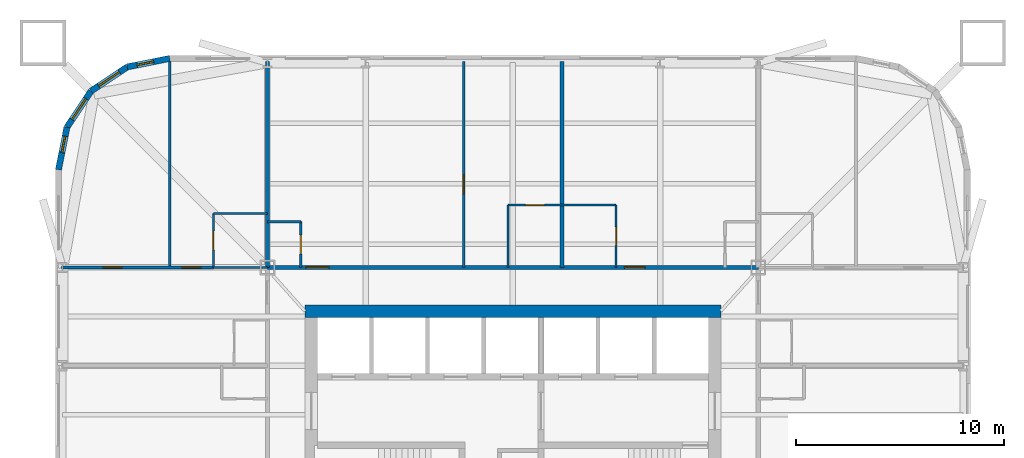
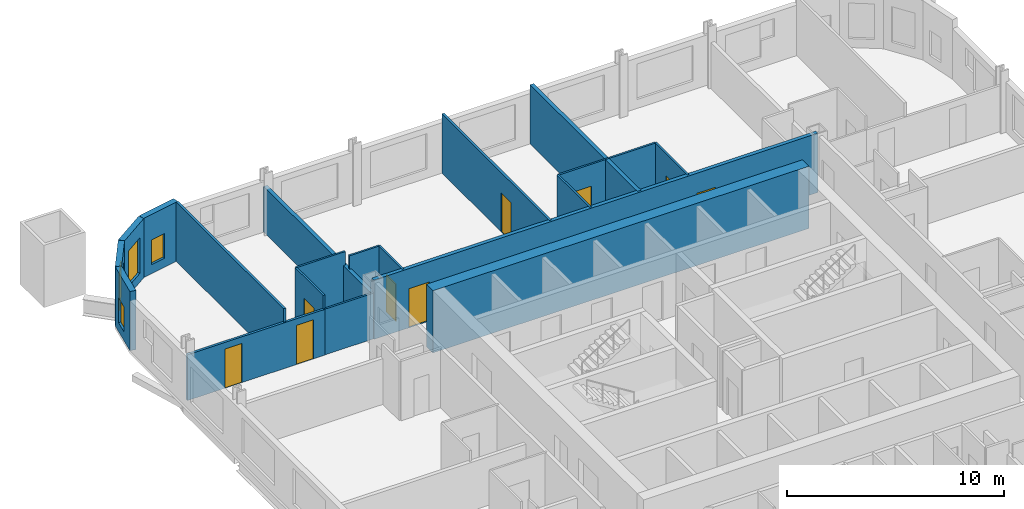
# One storey, part 7 of 10: 19 walls, 9 doors, 4 windows, 13 openings.
"""IFC4 building model written with IfcOpenShell, lengths in metres."""

from ifc_helpers import new_model, si_unit, direction, frame, frame_2d, origin, place, context, subcontext, project, spatial, rectangle, extrude, material, layer, layer_set, type_object, element, fill, save


model = new_model("IFC4")

# Units and contexts
model_context = context("Model", 3, precision=1e-05, world=origin(), true_north=direction((0.0, 1.0)))
body_context = subcontext(model_context, "Body", "Model", "MODEL_VIEW")
ifc_project = project(units=[si_unit("LENGTHUNIT", "METRE"), si_unit("AREAUNIT", "SQUARE_METRE"), si_unit("VOLUMEUNIT", "CUBIC_METRE"), si_unit("PLANEANGLEUNIT", "RADIAN"), si_unit("MASSUNIT", "GRAM", prefix="KILO")], contexts=[model_context])

# Site, building, storey
site_placement = place(None, origin())
site = spatial("IfcSite", under=ifc_project, at=site_placement, CompositionType="ELEMENT")
building_placement = place(site_placement, origin())
building = spatial("IfcBuilding", under=site, at=building_placement, Name="Turquesa Mirador Hotel Tower", CompositionType="ELEMENT")
storey_placement = place(building_placement, frame((0.0, 0.0, 77.5)))
storey = spatial("IfcBuildingStorey", under=building, at=storey_placement, Name="L20", CompositionType="ELEMENT", Elevation=77.5)

# Walls
ifc_material_1 = material(Name="Gypsum board on steel studs", Category="steel")
ifc_layer_1 = layer(ifc_material_1, 0.10009765625)
ifc_layer_set_1 = layer_set([ifc_layer_1], Name="BATHROOM WALL 100")
wall_type_1 = type_object("IfcWallType", Name="BATHROOM WALL 100", PredefinedType="PARTITIONING", material=ifc_layer_set_1)
wall_1_placement = place(storey_placement, frame((40.60009765625, 56.800048828125, 0.0), z_axis=(0.0, 0.0, 1.0), x_axis=(1.0, 0.0, 0.0)))
element("IfcWall", 1, at=wall_1_placement, inside=storey, type_object=wall_type_1, Name="Partition L20 024", PredefinedType="PARTITIONING", context=body_context, shape_type="SweptSolid", body=[
    extrude(rectangle(XDim=2.599853515625, YDim=0.10009765625, at=frame_2d((1.2998046875, 0.0))), origin(), (0.0, 0.0, 1.0), 2.572998046875),
])
wall_2_placement = place(storey_placement, frame((43.199951171875, 59.0, 0.0), z_axis=(0.0, 0.0, 1.0), x_axis=(1.0, 0.0, 0.0)))
element("IfcWall", 2, at=wall_2_placement, inside=storey, type_object=wall_type_1, Name="Partition L20 029", PredefinedType="PARTITIONING", context=body_context, shape_type="SweptSolid", body=[
    extrude(rectangle(XDim=1.60009765625, YDim=0.10009765625, at=frame_2d((0.800048828125, 0.0))), origin(), (0.0, 0.0, 1.0), 3.330078125),
])
wall_3_placement = place(storey_placement, frame((40.60009765625, 59.39990234375, 0.0), z_axis=(0.0, 0.0, 1.0), x_axis=(1.0, 0.0, 0.0)))
element("IfcWall", 3, at=wall_3_placement, inside=storey, type_object=wall_type_1, Name="Partition L20 031", PredefinedType="PARTITIONING", context=body_context, shape_type="SweptSolid", body=[
    extrude(rectangle(XDim=2.599853515625, YDim=0.10009765625, at=frame_2d((1.2998046875, 0.0))), origin(), (0.0, 0.0, 1.0), 3.330078125),
])

# Wall, opening, door
wall_4_placement = place(storey_placement, frame((54.760009765625, 59.800048828125, 0.0), z_axis=(0.0, 0.0, 1.0), x_axis=(1.0, 0.0, 0.0)))
wall_4 = element("IfcWall", 4, at=wall_4_placement, inside=storey, type_object=wall_type_1, Name="Partition L20 033", PredefinedType="PARTITIONING", context=body_context, shape_type="SweptSolid", body=[
    extrude(rectangle(XDim=5.199951171875, YDim=0.10009765625, at=frame_2d((2.60009765625, 0.0))), origin(), (0.0, 0.0, 1.0), 3.330078125),
])
opening_1_placement = place(wall_4_placement, frame((0.85009765625, 0.0, 0.0)))
opening_1 = element("IfcOpeningElement", 5, at=opening_1_placement, cuts=wall_4, Name="Opening D02", PredefinedType="OPENING", context=body_context, shape_type="SweptSolid", body=[
    extrude(rectangle(XDim=0.89990234375, YDim=2.10009765625, at=frame_2d((0.449951171875, 1.050048828125))), frame((0.0, 0.06005859375, 0.0), z_axis=(0.0, -1.0, 0.0), x_axis=(1.0, 0.0, 0.0)), (0.0, 0.0, 1.0), 0.1201171875),
])
ifc_material_2 = material(Name="Timber veneered door", Category="wood")
door_type_1 = type_object("IfcDoorType", Name="DOOR 900X2100 EN-SUITE", OperationType="SINGLE_SWING_RIGHT", PredefinedType="DOOR", material=ifc_material_2)
door_1_placement = place(opening_1_placement, origin())
door_1 = element("IfcDoor", 6, at=door_1_placement, inside=storey, type_object=door_type_1, Name="Door 2001B", OperationType="SINGLE_SWING_RIGHT", OverallHeight=2.10009765625, OverallWidth=0.89990234375, PredefinedType="DOOR", context=body_context, shape_type="SweptSolid", body=[
    extrude(rectangle(XDim=0.89990234375, YDim=2.10009765625, at=frame_2d((0.449951171875, 1.050048828125))), frame((0.0, 0.02490234375, 0.0), z_axis=(0.0, -1.0, 0.0), x_axis=(1.0, 0.0, 0.0)), (0.0, 0.0, 1.0), 0.050048828125),
])
fill(opening_1, door_1)

# Wall
wall_5_placement = place(storey_placement, frame((54.760009765625, 56.800048828125, 0.0), z_axis=(0.0, 0.0, 1.0), x_axis=(0.0, 1.0, 0.0)))
element("IfcWall", 7, at=wall_5_placement, inside=storey, type_object=wall_type_1, Name="Partition L20 040", PredefinedType="PARTITIONING", context=body_context, shape_type="SweptSolid", body=[
    extrude(rectangle(XDim=3.0, YDim=0.10009765625, at=frame_2d((1.5, 0.0))), origin(), (0.0, 0.0, 1.0), 3.330078125),
])

# Wall, opening, door
wall_6_placement = place(storey_placement, frame((44.800048828125, 56.800048828125, 0.0), z_axis=(0.0, 0.0, 1.0), x_axis=(0.0, 1.0, 0.0)))
wall_6 = element("IfcWall", 8, at=wall_6_placement, inside=storey, type_object=wall_type_1, Name="Partition L20 042", PredefinedType="PARTITIONING", context=body_context, shape_type="SweptSolid", body=[
    extrude(rectangle(XDim=2.199951171875, YDim=0.10009765625, at=frame_2d((1.10009765625, 0.0))), origin(), (0.0, 0.0, 1.0), 3.330078125),
])
opening_2_placement = place(wall_6_placement, frame((0.64990234375, 0.0, 0.0)))
opening_2 = element("IfcOpeningElement", 9, at=opening_2_placement, cuts=wall_6, Name="Opening D06", PredefinedType="OPENING", context=body_context, shape_type="SweptSolid", body=[
    extrude(rectangle(XDim=0.89990234375, YDim=2.10009765625, at=frame_2d((0.449951171875, 1.050048828125))), frame((0.0, 0.06005859375, 0.0), z_axis=(0.0, -1.0, 0.0), x_axis=(1.0, 0.0, 0.0)), (0.0, 0.0, 1.0), 0.1201171875),
])
ifc_material_3 = material(Name="Laminate door", Category="wood")
door_type_2 = type_object("IfcDoorType", Name="DOOR 900X2100 WC", OperationType="SINGLE_SWING_LEFT", PredefinedType="DOOR", material=ifc_material_3)
door_2_placement = place(opening_2_placement, origin())
door_2 = element("IfcDoor", 10, at=door_2_placement, inside=storey, type_object=door_type_2, Name="Door 2001W", OperationType="SINGLE_SWING_LEFT", OverallHeight=2.10009765625, OverallWidth=0.89990234375, PredefinedType="DOOR", context=body_context, shape_type="SweptSolid", body=[
    extrude(rectangle(XDim=0.89990234375, YDim=2.10009765625, at=frame_2d((0.449951171875, 1.050048828125))), frame((0.0, 0.02490234375, 0.0), z_axis=(0.0, -1.0, 0.0), x_axis=(1.0, 0.0, 0.0)), (0.0, 0.0, 1.0), 0.050048828125),
])
fill(opening_2, door_2)

wall_7_placement = place(storey_placement, frame((40.60009765625, 56.800048828125, 0.0), z_axis=(0.0, 0.0, 1.0), x_axis=(0.0, 1.0, 0.0)))
wall_7 = element("IfcWall", 11, at=wall_7_placement, inside=storey, type_object=wall_type_1, Name="Partition L20 049", PredefinedType="PARTITIONING", context=body_context, shape_type="SweptSolid", body=[
    extrude(rectangle(XDim=2.599853515625, YDim=0.10009765625, at=frame_2d((1.2998046875, 0.0))), origin(), (0.0, 0.0, 1.0), 3.330078125),
])
opening_3_placement = place(wall_7_placement, frame((0.85009765625, 0.0, 0.0)))
opening_3 = element("IfcOpeningElement", 12, at=opening_3_placement, cuts=wall_7, Name="Opening D02", PredefinedType="OPENING", context=body_context, shape_type="SweptSolid", body=[
    extrude(rectangle(XDim=0.89990234375, YDim=2.10009765625, at=frame_2d((0.449951171875, 1.050048828125))), frame((0.0, 0.06005859375, 0.0), z_axis=(0.0, -1.0, 0.0), x_axis=(1.0, 0.0, 0.0)), (0.0, 0.0, 1.0), 0.1201171875),
])
door_3_placement = place(opening_3_placement, origin())
door_3 = element("IfcDoor", 13, at=door_3_placement, inside=storey, type_object=door_type_1, Name="Door 2013B", OperationType="SINGLE_SWING_RIGHT", OverallHeight=2.10009765625, OverallWidth=0.89990234375, PredefinedType="DOOR", context=body_context, shape_type="SweptSolid", body=[
    extrude(rectangle(XDim=0.89990234375, YDim=2.10009765625, at=frame_2d((0.449951171875, 1.050048828125))), frame((0.0, 0.02490234375, 0.0), z_axis=(0.0, -1.0, 0.0), x_axis=(1.0, 0.0, 0.0)), (0.0, 0.0, 1.0), 0.050048828125),
])
fill(opening_3, door_3)

wall_8_placement = place(storey_placement, frame((59.9599609375, 56.800048828125, 0.0), z_axis=(0.0, 0.0, 1.0), x_axis=(0.0, 1.0, 0.0)))
wall_8 = element("IfcWall", 14, at=wall_8_placement, inside=storey, type_object=wall_type_1, Name="Partition L20 076", PredefinedType="PARTITIONING", context=body_context, shape_type="SweptSolid", body=[
    extrude(rectangle(XDim=3.0, YDim=0.10009765625, at=frame_2d((1.5, 0.0))), origin(), (0.0, 0.0, 1.0), 3.330078125),
])
opening_4_placement = place(wall_8_placement, frame((1.050048828125, 0.0, 0.0)))
opening_4 = element("IfcOpeningElement", 15, at=opening_4_placement, cuts=wall_8, Name="Opening D02", PredefinedType="OPENING", context=body_context, shape_type="SweptSolid", body=[
    extrude(rectangle(XDim=0.89990234375, YDim=2.10009765625, at=frame_2d((0.449951171875, 1.050048828125))), frame((0.0, 0.06005859375, 0.0), z_axis=(0.0, -1.0, 0.0), x_axis=(1.0, 0.0, 0.0)), (0.0, 0.0, 1.0), 0.1201171875),
])
door_4_placement = place(opening_4_placement, origin())
door_4 = element("IfcDoor", 16, at=door_4_placement, inside=storey, type_object=door_type_1, Name="Door 2002B", OperationType="SINGLE_SWING_RIGHT", OverallHeight=2.10009765625, OverallWidth=0.89990234375, PredefinedType="DOOR", context=body_context, shape_type="SweptSolid", body=[
    extrude(rectangle(XDim=0.89990234375, YDim=2.10009765625, at=frame_2d((0.449951171875, 1.050048828125))), frame((0.0, 0.02490234375, 0.0), z_axis=(0.0, -1.0, 0.0), x_axis=(1.0, 0.0, 0.0)), (0.0, 0.0, 1.0), 0.050048828125),
])
fill(opening_4, door_4)

# Wall
ifc_material_4 = material(Name="Concrete C50/60", Category="concrete")
ifc_layer_2 = layer(ifc_material_4, 0.60009765625)
ifc_layer_set_2 = layer_set([ifc_layer_2], Name="CORE WALL 600")
wall_type_2 = type_object("IfcWallType", Name="CORE WALL 600", PredefinedType="SHEAR", material=ifc_layer_set_2)
wall_9_placement = place(storey_placement, frame((45.0, 54.699951171875, 0.0), z_axis=(0.0, 0.0, 1.0), x_axis=(1.0, 0.0, 0.0)))
element("IfcWall", 17, at=wall_9_placement, inside=storey, type_object=wall_type_2, Name="Core wall N", PredefinedType="SHEAR", context=body_context, shape_type="SweptSolid", body=[
    extrude(rectangle(XDim=20.0, YDim=0.60009765625, at=frame_2d((10.0, 0.0))), origin(), (0.0, 0.0, 1.0), 3.5),
])

# Wall, openings, doors
ifc_material_5 = material(Name="Fire-rated gypsum board on steel studs", Category="steel")
ifc_layer_3 = layer(ifc_material_5, 0.199951171875)
ifc_layer_set_3 = layer_set([ifc_layer_3], Name="CORRIDOR WALL 200")
wall_type_3 = type_object("IfcWallType", Name="CORRIDOR WALL 200", PredefinedType="PARTITIONING", material=ifc_layer_set_3)
wall_10_placement = place(storey_placement, frame((43.199951171875, 56.800048828125, 0.0), z_axis=(0.0, 0.0, 1.0), x_axis=(1.0, 0.0, 0.0)))
wall_10 = element("IfcWall", 18, at=wall_10_placement, inside=storey, type_object=wall_type_3, Name="Partition L20 026", PredefinedType="PARTITIONING", context=body_context, shape_type="SweptSolid", body=[
    extrude(rectangle(XDim=23.60009765625, YDim=0.199951171875, at=frame_2d((11.800048828125, 0.0))), origin(), (0.0, 0.0, 1.0), 3.330078125),
])
opening_5_placement = place(wall_10_placement, frame((1.85009765625, 0.0, 0.0)))
opening_5 = element("IfcOpeningElement", 19, at=opening_5_placement, cuts=wall_10, Name="Opening D15", PredefinedType="OPENING", context=body_context, shape_type="SweptSolid", body=[
    extrude(rectangle(XDim=1.10009765625, YDim=2.199951171875, at=frame_2d((0.550048828125, 1.10009765625))), frame((0.0, 0.10986328125, 0.0), z_axis=(0.0, -1.0, 0.0), x_axis=(1.0, 0.0, 0.0)), (0.0, 0.0, 1.0), 0.219970703125),
])
opening_6_placement = place(wall_10_placement, frame((17.159912109375, 0.0, 0.0)))
opening_6 = element("IfcOpeningElement", 20, at=opening_6_placement, cuts=wall_10, Name="Opening D01", PredefinedType="OPENING", context=body_context, shape_type="SweptSolid", body=[
    extrude(rectangle(XDim=1.0, YDim=2.199951171875, at=frame_2d((0.5, 1.10009765625))), frame((0.0, 0.10986328125, 0.0), z_axis=(0.0, -1.0, 0.0), x_axis=(1.0, 0.0, 0.0)), (0.0, 0.0, 1.0), 0.219970703125),
])
ifc_material_6 = material(Name="Timber veneered fire door", Category="wood")
door_type_3 = type_object("IfcDoorType", Name="DOOR 1000X2200 GUEST ENTRY", OperationType="SINGLE_SWING_LEFT", PredefinedType="DOOR", material=ifc_material_6)
door_5_placement = place(opening_6_placement, origin())
door_5 = element("IfcDoor", 21, at=door_5_placement, inside=storey, type_object=door_type_3, Name="Door 2002", OperationType="SINGLE_SWING_LEFT", OverallHeight=2.199951171875, OverallWidth=1.0, PredefinedType="DOOR", context=body_context, shape_type="SweptSolid", body=[
    extrude(rectangle(XDim=1.0, YDim=2.199951171875, at=frame_2d((0.5, 1.10009765625))), frame((0.0, 0.02490234375, 0.0), z_axis=(0.0, -1.0, 0.0), x_axis=(1.0, 0.0, 0.0)), (0.0, 0.0, 1.0), 0.050048828125),
])
fill(opening_6, door_5)
ifc_material_7 = material(Name="Timber veneered fire door", Category="wood")
door_type_4 = type_object("IfcDoorType", Name="DOOR 1100X2200 SUITE ENTRY", OperationType="SINGLE_SWING_LEFT", PredefinedType="DOOR", material=ifc_material_7)
door_6_placement = place(opening_5_placement, origin())
door_6 = element("IfcDoor", 22, at=door_6_placement, inside=storey, type_object=door_type_4, Name="Door 2001", OperationType="SINGLE_SWING_LEFT", OverallHeight=2.199951171875, OverallWidth=1.10009765625, PredefinedType="DOOR", context=body_context, shape_type="SweptSolid", body=[
    extrude(rectangle(XDim=1.10009765625, YDim=2.199951171875, at=frame_2d((0.550048828125, 1.10009765625))), frame((0.0, 0.02490234375, 0.0), z_axis=(0.0, -1.0, 0.0), x_axis=(1.0, 0.0, 0.0)), (0.0, 0.0, 1.0), 0.050048828125),
])
fill(opening_5, door_6)

# Wall, opening, window
ifc_material_8 = material(Name="Limestone cladding on concrete block", Category="masonry")
ifc_layer_4 = layer(ifc_material_8, 0.300048828125)
ifc_layer_set_4 = layer_set([ifc_layer_4], Name="FACADE WALL 300 STONE SCREEN")
wall_type_4 = type_object("IfcWallType", Name="FACADE WALL 300 STONE SCREEN", PredefinedType="SOLIDWALL", material=ifc_layer_set_4)
wall_11_placement = place(storey_placement, frame((38.5, 66.85009765625, 0.0), z_axis=(0.0, 0.0, 1.0), x_axis=(-0.980787050784, -0.195081421501, 0.0)))
wall_11 = element("IfcWall", 23, at=wall_11_placement, inside=storey, type_object=wall_type_4, Name="Facade wall L20 10", PredefinedType="SOLIDWALL", context=body_context, shape_type="SweptSolid", body=[
    extrude(rectangle(XDim=2.08740234375, YDim=0.300048828125, at=frame_2d((1.043701171875, 0.0))), origin(), (0.0, 0.0, 1.0), 3.330078125),
])
opening_7_placement = place(wall_11_placement, frame((0.793701171875, 0.0, 0.5)))
opening_7 = element("IfcOpeningElement", 24, at=opening_7_placement, cuts=wall_11, Name="Opening WN20", PredefinedType="OPENING", context=body_context, shape_type="SweptSolid", body=[
    extrude(rectangle(XDim=0.800048828125, YDim=1.39990234375, at=frame_2d((0.39990234375, 0.699951171875))), frame((0.0, 0.159912109375, 0.0), z_axis=(0.0, -1.0, 0.0), x_axis=(1.0, 0.0, 0.0)), (0.0, 0.0, 1.0), 0.320068359375),
])
ifc_material_9 = material(Name="Ceramic-fritted laminated glass", Category="glass")
window_type_1 = type_object("IfcWindowType", Name="FRITTED CORNER WINDOW 800X1400", PartitioningType="DOUBLE_PANEL_HORIZONTAL", PredefinedType="WINDOW", material=ifc_material_9)
window_1_placement = place(opening_7_placement, origin())
window_1 = element("IfcWindow", 25, at=window_1_placement, inside=storey, type_object=window_type_1, Name="Window L20", OverallHeight=1.39990234375, OverallWidth=0.800048828125, PartitioningType="SINGLE_PANEL", PredefinedType="WINDOW", context=body_context, shape_type="SweptSolid", body=[
    extrude(rectangle(XDim=0.800048828125, YDim=1.39990234375, at=frame_2d((0.39990234375, 0.699951171875))), frame((0.0, 0.030029296875, 0.0), z_axis=(0.0, -1.0, 0.0), x_axis=(1.0, 0.0, 0.0)), (0.0, 0.0, 1.0), 0.06005859375),
])
fill(opening_7, window_1)

wall_12_placement = place(storey_placement, frame((36.45263671875, 66.44287109375, 0.0), z_axis=(0.0, 0.0, 1.0), x_axis=(-0.831420010345, -0.555644460423, 0.0)))
wall_12 = element("IfcWall", 26, at=wall_12_placement, inside=storey, type_object=wall_type_4, Name="Facade wall L20 11", PredefinedType="SOLIDWALL", context=body_context, shape_type="SweptSolid", body=[
    extrude(rectangle(XDim=2.08740234375, YDim=0.300048828125, at=frame_2d((1.043701171875, 0.0))), origin(), (0.0, 0.0, 1.0), 3.330078125),
])
opening_8_placement = place(wall_12_placement, frame((0.443603515625, 0.0, 0.5)))
opening_8 = element("IfcOpeningElement", 27, at=opening_8_placement, cuts=wall_12, Name="Opening WN4", PredefinedType="OPENING", context=body_context, shape_type="SweptSolid", body=[
    extrude(rectangle(XDim=1.199951171875, YDim=2.0, at=frame_2d((0.60009765625, 1.0))), frame((0.0, 0.159912109375, 0.0), z_axis=(0.0, -1.0, 0.0), x_axis=(1.0, 0.0, 0.0)), (0.0, 0.0, 1.0), 0.320068359375),
])
ifc_material_10 = material(Name="Ceramic-fritted laminated glass", Category="glass")
window_type_2 = type_object("IfcWindowType", Name="FRITTED CORNER WINDOW 1200X2000", PartitioningType="DOUBLE_PANEL_HORIZONTAL", PredefinedType="WINDOW", material=ifc_material_10)
window_2_placement = place(opening_8_placement, origin())
window_2 = element("IfcWindow", 28, at=window_2_placement, inside=storey, type_object=window_type_2, Name="Window L20", OverallHeight=2.0, OverallWidth=1.199951171875, PartitioningType="SINGLE_PANEL", PredefinedType="WINDOW", context=body_context, shape_type="SweptSolid", body=[
    extrude(rectangle(XDim=1.199951171875, YDim=2.0, at=frame_2d((0.60009765625, 1.0))), frame((0.0, 0.030029296875, 0.0), z_axis=(0.0, -1.0, 0.0), x_axis=(1.0, 0.0, 0.0)), (0.0, 0.0, 1.0), 0.06005859375),
])
fill(opening_8, window_2)

wall_13_placement = place(storey_placement, frame((34.717041015625, 65.282958984375, 0.0), z_axis=(0.0, 0.0, 1.0), x_axis=(-0.555644460423, -0.831420010345, 0.0)))
wall_13 = element("IfcWall", 29, at=wall_13_placement, inside=storey, type_object=wall_type_4, Name="Facade wall L20 12", PredefinedType="SOLIDWALL", context=body_context, shape_type="SweptSolid", body=[
    extrude(rectangle(XDim=2.08740234375, YDim=0.300048828125, at=frame_2d((1.043701171875, 0.0))), origin(), (0.0, 0.0, 1.0), 3.330078125),
])
opening_9_placement = place(wall_13_placement, frame((0.443603515625, 0.0, 0.5)))
opening_9 = element("IfcOpeningElement", 30, at=opening_9_placement, cuts=wall_13, Name="Opening WN4", PredefinedType="OPENING", context=body_context, shape_type="SweptSolid", body=[
    extrude(rectangle(XDim=1.199951171875, YDim=2.0, at=frame_2d((0.60009765625, 1.0))), frame((0.0, 0.159912109375, 0.0), z_axis=(0.0, -1.0, 0.0), x_axis=(1.0, 0.0, 0.0)), (0.0, 0.0, 1.0), 0.320068359375),
])
window_3_placement = place(opening_9_placement, origin())
window_3 = element("IfcWindow", 31, at=window_3_placement, inside=storey, type_object=window_type_2, Name="Window L20", OverallHeight=2.0, OverallWidth=1.199951171875, PartitioningType="SINGLE_PANEL", PredefinedType="WINDOW", context=body_context, shape_type="SweptSolid", body=[
    extrude(rectangle(XDim=1.199951171875, YDim=2.0, at=frame_2d((0.60009765625, 1.0))), frame((0.0, 0.030029296875, 0.0), z_axis=(0.0, -1.0, 0.0), x_axis=(1.0, 0.0, 0.0)), (0.0, 0.0, 1.0), 0.06005859375),
])
fill(opening_9, window_3)

wall_14_placement = place(storey_placement, frame((33.55712890625, 63.54736328125, 0.0), z_axis=(0.0, 0.0, 1.0), x_axis=(-0.195081421501, -0.980787050784, 0.0)))
wall_14 = element("IfcWall", 32, at=wall_14_placement, inside=storey, type_object=wall_type_4, Name="Facade wall L20 13", PredefinedType="SOLIDWALL", context=body_context, shape_type="SweptSolid", body=[
    extrude(rectangle(XDim=2.08740234375, YDim=0.300048828125, at=frame_2d((1.043701171875, 0.0))), origin(), (0.0, 0.0, 1.0), 3.330078125),
])
opening_10_placement = place(wall_14_placement, frame((0.443603515625, 0.0, 0.5)))
opening_10 = element("IfcOpeningElement", 33, at=opening_10_placement, cuts=wall_14, Name="Opening WN20", PredefinedType="OPENING", context=body_context, shape_type="SweptSolid", body=[
    extrude(rectangle(XDim=0.800048828125, YDim=1.39990234375, at=frame_2d((0.39990234375, 0.699951171875))), frame((0.0, 0.159912109375, 0.0), z_axis=(0.0, -1.0, 0.0), x_axis=(1.0, 0.0, 0.0)), (0.0, 0.0, 1.0), 0.320068359375),
])
window_4_placement = place(opening_10_placement, origin())
window_4 = element("IfcWindow", 34, at=window_4_placement, inside=storey, type_object=window_type_1, Name="Window L20", OverallHeight=1.39990234375, OverallWidth=0.800048828125, PartitioningType="SINGLE_PANEL", PredefinedType="WINDOW", context=body_context, shape_type="SweptSolid", body=[
    extrude(rectangle(XDim=0.800048828125, YDim=1.39990234375, at=frame_2d((0.39990234375, 0.699951171875))), frame((0.0, 0.030029296875, 0.0), z_axis=(0.0, -1.0, 0.0), x_axis=(1.0, 0.0, 0.0)), (0.0, 0.0, 1.0), 0.06005859375),
])
fill(opening_10, window_4)

# Walls
ifc_material_11 = material(Name="Fire-rated gypsum board on steel studs", Category="steel")
ifc_layer_5 = layer(ifc_material_11, 0.199951171875)
ifc_layer_set_5 = layer_set([ifc_layer_5], Name="PARTY WALL 200")
wall_type_5 = type_object("IfcWallType", Name="PARTY WALL 200", PredefinedType="PARTITIONING", material=ifc_layer_set_5)
wall_15_placement = place(storey_placement, frame((43.199951171875, 56.800048828125, 0.0), z_axis=(0.0, 0.0, 1.0), x_axis=(0.0, 1.0, 0.0)))
element("IfcWall", 35, at=wall_15_placement, inside=storey, type_object=wall_type_5, Name="Partition L20 045", PredefinedType="PARTITIONING", context=body_context, shape_type="SweptSolid", body=[
    extrude(rectangle(XDim=9.89990234375, YDim=0.199951171875, at=frame_2d((4.949951171875, 0.0))), origin(), (0.0, 0.0, 1.0), 2.572998046875),
])
wall_16_placement = place(storey_placement, frame((57.360107421875, 56.800048828125, 0.0), z_axis=(0.0, 0.0, 1.0), x_axis=(0.0, 1.0, 0.0)))
element("IfcWall", 36, at=wall_16_placement, inside=storey, type_object=wall_type_5, Name="Partition L20 074", PredefinedType="PARTITIONING", context=body_context, shape_type="SweptSolid", body=[
    extrude(rectangle(XDim=9.89990234375, YDim=0.199951171875, at=frame_2d((4.949951171875, 0.0))), origin(), (0.0, 0.0, 1.0), 3.330078125),
])

# Wall, openings, doors
ifc_material_12 = material(Name="Acoustic gypsum board on steel studs", Category="steel")
ifc_layer_6 = layer(ifc_material_12, 0.125)
ifc_layer_set_6 = layer_set([ifc_layer_6], Name="SUITE PARTITION 125")
wall_type_6 = type_object("IfcWallType", Name="SUITE PARTITION 125", PredefinedType="PARTITIONING", material=ifc_layer_set_6)
wall_17_placement = place(storey_placement, frame((33.300048828125, 56.800048828125, 0.0), z_axis=(0.0, 0.0, 1.0), x_axis=(1.0, 0.0, 0.0)))
wall_17 = element("IfcWall", 37, at=wall_17_placement, inside=storey, type_object=wall_type_6, Name="Partition L20 027", PredefinedType="PARTITIONING", context=body_context, shape_type="SweptSolid", body=[
    extrude(rectangle(XDim=7.300048828125, YDim=0.125, at=frame_2d((3.64990234375, 0.0))), origin(), (0.0, 0.0, 1.0), 2.572998046875),
])
opening_11_placement = place(wall_17_placement, frame((5.800048828125, 0.0, 0.0)))
opening_11 = element("IfcOpeningElement", 38, at=opening_11_placement, cuts=wall_17, Name="Opening D17", PredefinedType="OPENING", context=body_context, shape_type="SweptSolid", body=[
    extrude(rectangle(XDim=0.89990234375, YDim=2.199951171875, at=frame_2d((0.449951171875, 1.10009765625))), frame((0.0, 0.072509765625, 0.0), z_axis=(0.0, -1.0, 0.0), x_axis=(1.0, 0.0, 0.0)), (0.0, 0.0, 1.0), 0.14501953125),
])
opening_12_placement = place(wall_17_placement, frame((2.0, 0.0, 0.0)))
opening_12 = element("IfcOpeningElement", 39, at=opening_12_placement, cuts=wall_17, Name="Opening D17", PredefinedType="OPENING", context=body_context, shape_type="SweptSolid", body=[
    extrude(rectangle(XDim=0.89990234375, YDim=2.199951171875, at=frame_2d((0.449951171875, 1.10009765625))), frame((0.0, 0.072509765625, 0.0), z_axis=(0.0, -1.0, 0.0), x_axis=(1.0, 0.0, 0.0)), (0.0, 0.0, 1.0), 0.14501953125),
])
ifc_material_13 = material(Name="Timber veneered door", Category="wood")
door_type_5 = type_object("IfcDoorType", Name="DOOR 900X2200 SUITE INTERNAL", OperationType="SINGLE_SWING_LEFT", PredefinedType="DOOR", material=ifc_material_13)
door_7_placement = place(opening_11_placement, origin())
door_7 = element("IfcDoor", 40, at=door_7_placement, inside=storey, type_object=door_type_5, Name="Door 2013R", OperationType="SINGLE_SWING_LEFT", OverallHeight=2.199951171875, OverallWidth=0.89990234375, PredefinedType="DOOR", context=body_context, shape_type="SweptSolid", body=[
    extrude(rectangle(XDim=0.89990234375, YDim=2.199951171875, at=frame_2d((0.449951171875, 1.10009765625))), frame((0.0, 0.02490234375, 0.0), z_axis=(0.0, -1.0, 0.0), x_axis=(1.0, 0.0, 0.0)), (0.0, 0.0, 1.0), 0.050048828125),
])
fill(opening_11, door_7)
door_8_placement = place(opening_12_placement, origin())
door_8 = element("IfcDoor", 41, at=door_8_placement, inside=storey, type_object=door_type_5, Name="Door 2013S", OperationType="SINGLE_SWING_LEFT", OverallHeight=2.199951171875, OverallWidth=0.89990234375, PredefinedType="DOOR", context=body_context, shape_type="SweptSolid", body=[
    extrude(rectangle(XDim=0.89990234375, YDim=2.199951171875, at=frame_2d((0.449951171875, 1.10009765625))), frame((0.0, 0.02490234375, 0.0), z_axis=(0.0, -1.0, 0.0), x_axis=(1.0, 0.0, 0.0)), (0.0, 0.0, 1.0), 0.050048828125),
])
fill(opening_12, door_8)

# Wall
wall_18_placement = place(storey_placement, frame((38.5, 56.800048828125, 0.0), z_axis=(0.0, 0.0, 1.0), x_axis=(0.0, 1.0, 0.0)))
element("IfcWall", 42, at=wall_18_placement, inside=storey, type_object=wall_type_6, Name="Partition L20 053", PredefinedType="PARTITIONING", context=body_context, shape_type="SweptSolid", body=[
    extrude(rectangle(XDim=9.89404296875, YDim=0.125, at=frame_2d((4.947021484375, 0.0))), origin(), (0.0, 0.0, 1.0), 3.330078125),
])

# Wall, opening, door
wall_19_placement = place(storey_placement, frame((52.639892578125, 56.800048828125, 0.0), z_axis=(0.0, 0.0, 1.0), x_axis=(0.0, 1.0, 0.0)))
wall_19 = element("IfcWall", 43, at=wall_19_placement, inside=storey, type_object=wall_type_6, Name="Partition L20 055", PredefinedType="PARTITIONING", context=body_context, shape_type="SweptSolid", body=[
    extrude(rectangle(XDim=9.89990234375, YDim=0.125, at=frame_2d((4.949951171875, 0.0))), origin(), (0.0, 0.0, 1.0), 3.330078125),
])
opening_13_placement = place(wall_19_placement, frame((3.550048828125, 0.0, 0.0)))
opening_13 = element("IfcOpeningElement", 44, at=opening_13_placement, cuts=wall_19, Name="Opening D17", PredefinedType="OPENING", context=body_context, shape_type="SweptSolid", body=[
    extrude(rectangle(XDim=0.89990234375, YDim=2.199951171875, at=frame_2d((0.449951171875, 1.10009765625))), frame((0.0, 0.072509765625, 0.0), z_axis=(0.0, -1.0, 0.0), x_axis=(1.0, 0.0, 0.0)), (0.0, 0.0, 1.0), 0.14501953125),
])
door_9_placement = place(opening_13_placement, origin())
door_9 = element("IfcDoor", 45, at=door_9_placement, inside=storey, type_object=door_type_5, Name="Door 2001R", OperationType="SINGLE_SWING_LEFT", OverallHeight=2.199951171875, OverallWidth=0.89990234375, PredefinedType="DOOR", context=body_context, shape_type="SweptSolid", body=[
    extrude(rectangle(XDim=0.89990234375, YDim=2.199951171875, at=frame_2d((0.449951171875, 1.10009765625))), frame((0.0, 0.02490234375, 0.0), z_axis=(0.0, -1.0, 0.0), x_axis=(1.0, 0.0, 0.0)), (0.0, 0.0, 1.0), 0.050048828125),
])
fill(opening_13, door_9)

save(model, "model.ifc")
